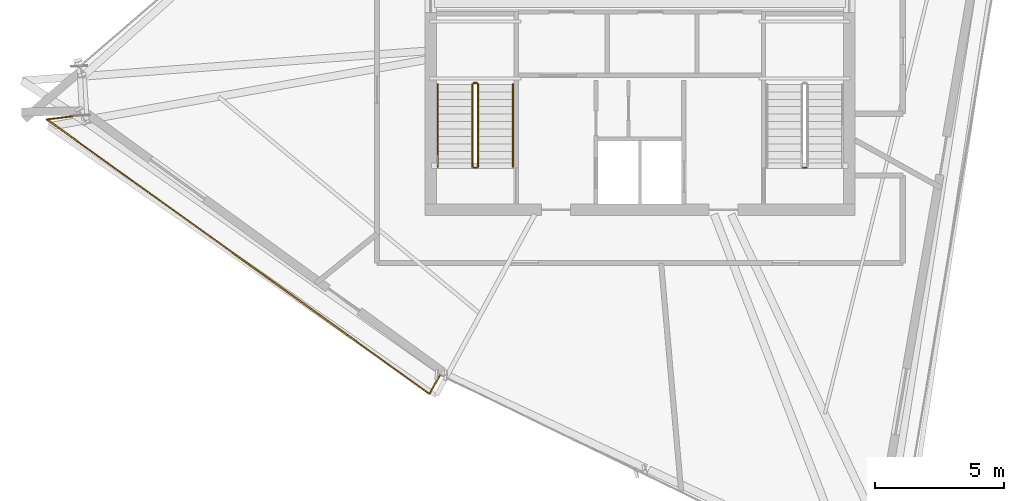
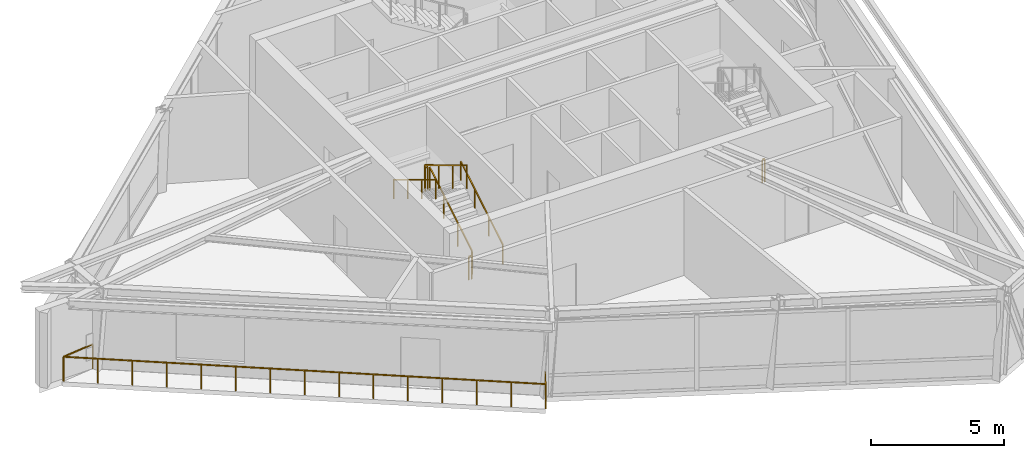
# One storey, part 20 of 22: 8 railings.
"""IFC4 building model written with IfcOpenShell, lengths in metres."""

from ifc_helpers import new_model, si_unit, direction, frame, origin, origin_2d, place, context, subcontext, project, spatial, rectangle, extrude, material, type_object, element, save


model = new_model("IFC4")

# Units and contexts
model_context = context("Model", 3, precision=1e-05, world=origin(), true_north=direction((0.0, 1.0)))
body_context = subcontext(model_context, "Body", "Model", "MODEL_VIEW")
ifc_project = project(units=[si_unit("LENGTHUNIT", "METRE"), si_unit("AREAUNIT", "SQUARE_METRE"), si_unit("VOLUMEUNIT", "CUBIC_METRE"), si_unit("PLANEANGLEUNIT", "RADIAN"), si_unit("MASSUNIT", "GRAM", prefix="KILO")], contexts=[model_context])

# Site, building, storey
site_placement = place(None, origin())
site = spatial("IfcSite", under=ifc_project, at=site_placement, CompositionType="ELEMENT")
building_placement = place(site_placement, origin())
building = spatial("IfcBuilding", under=site, at=building_placement, Name="Olszyna Solenne Hotel", CompositionType="ELEMENT")
storey_placement = place(building_placement, frame((0.0, 0.0, 281.89990234375)))
storey = spatial("IfcBuildingStorey", under=building, at=storey_placement, Name="L75", CompositionType="ELEMENT", Elevation=281.89990234375)

# Railings
ifc_material_1 = material(Name="Anodised bronze aluminium", Category="aluminium")
railing_type_1 = type_object("IfcRailingType", Name="GR-110", PredefinedType="BALUSTRADE", material=ifc_material_1)
railing_1_placement = place(storey_placement, frame((16.348876953125, 22.947021484375, 0.0)))
element("IfcRailing", 1, at=railing_1_placement, inside=storey, type_object=railing_type_1, Name="Loggia balcony balustrade guard GR-L75-LG2", PredefinedType="BALUSTRADE", context=body_context, shape_type="SweptSolid", body=[
    extrude(rectangle(XDim=0.048095703125, YDim=0.048095703125, at=origin_2d()), frame((0.0, 0.0, 1.1259765625), z_axis=(-0.992815565985, -0.119654719666, 0.0), x_axis=(0.119654719666, -0.992815565985, 0.0)), (0.0, 0.0, 1.0), 1.37939453125),
    extrude(rectangle(XDim=0.048095703125, YDim=0.048095703125, at=origin_2d()), frame((-1.369384765625, -0.1650390625, 1.1259765625), z_axis=(0.812542513151, -0.582901933709, 0.0), x_axis=(0.582901933709, 0.812542513151, 0.0)), (0.0, 0.0, 1.0), 18.28173828125),
    extrude(rectangle(XDim=0.048095703125, YDim=0.048095703125, at=origin_2d()), frame((13.4853515625, -10.821533203125, 1.1259765625), z_axis=(0.489068963834, 0.87224511957, 0.0), x_axis=(-0.87224511957, 0.489068963834, 0.0)), (0.0, 0.0, 1.0), 0.84619140625),
    extrude(rectangle(XDim=0.0419921875, YDim=0.0419921875, at=origin_2d()), origin(), (0.0, 0.0, 1.0), 1.101806640625),
    extrude(rectangle(XDim=0.0419921875, YDim=0.0419921875, at=origin_2d()), frame((-1.369384765625, -0.1650390625, 0.0)), (0.0, 0.0, 1.0), 1.101806640625),
    extrude(rectangle(XDim=0.0419921875, YDim=0.0419921875, at=origin_2d()), frame((-0.308349609375, -0.92626953125, 0.0)), (0.0, 0.0, 1.0), 1.101806640625),
    extrude(rectangle(XDim=0.0419921875, YDim=0.0419921875, at=origin_2d()), frame((0.752685546875, -1.6875, 0.0)), (0.0, 0.0, 1.0), 1.101806640625),
    extrude(rectangle(XDim=0.0419921875, YDim=0.0419921875, at=origin_2d()), frame((1.813720703125, -2.448486328125, 0.0)), (0.0, 0.0, 1.0), 1.101806640625),
    extrude(rectangle(XDim=0.0419921875, YDim=0.0419921875, at=origin_2d()), frame((2.874755859375, -3.209716796875, 0.0)), (0.0, 0.0, 1.0), 1.101806640625),
    extrude(rectangle(XDim=0.0419921875, YDim=0.0419921875, at=origin_2d()), frame((3.935791015625, -3.970947265625, 0.0)), (0.0, 0.0, 1.0), 1.101806640625),
    extrude(rectangle(XDim=0.0419921875, YDim=0.0419921875, at=origin_2d()), frame((4.996826171875, -4.732177734375, 0.0)), (0.0, 0.0, 1.0), 1.101806640625),
    extrude(rectangle(XDim=0.0419921875, YDim=0.0419921875, at=origin_2d()), frame((6.05810546875, -5.4931640625, 0.0)), (0.0, 0.0, 1.0), 1.101806640625),
    extrude(rectangle(XDim=0.0419921875, YDim=0.0419921875, at=origin_2d()), frame((7.119140625, -6.25439453125, 0.0)), (0.0, 0.0, 1.0), 1.101806640625),
    extrude(rectangle(XDim=0.0419921875, YDim=0.0419921875, at=origin_2d()), frame((8.18017578125, -7.015625, 0.0)), (0.0, 0.0, 1.0), 1.101806640625),
    extrude(rectangle(XDim=0.0419921875, YDim=0.0419921875, at=origin_2d()), frame((9.2412109375, -7.77685546875, 0.0)), (0.0, 0.0, 1.0), 1.101806640625),
    extrude(rectangle(XDim=0.0419921875, YDim=0.0419921875, at=origin_2d()), frame((10.30224609375, -8.5380859375, 0.0)), (0.0, 0.0, 1.0), 1.101806640625),
    extrude(rectangle(XDim=0.0419921875, YDim=0.0419921875, at=origin_2d()), frame((11.36328125, -9.299072265625, 0.0)), (0.0, 0.0, 1.0), 1.101806640625),
    extrude(rectangle(XDim=0.0419921875, YDim=0.0419921875, at=origin_2d()), frame((12.42431640625, -10.060302734375, 0.0)), (0.0, 0.0, 1.0), 1.101806640625),
    extrude(rectangle(XDim=0.0419921875, YDim=0.0419921875, at=origin_2d()), frame((13.4853515625, -10.821533203125, 0.0)), (0.0, 0.0, 1.0), 1.101806640625),
    extrude(rectangle(XDim=0.0419921875, YDim=0.0419921875, at=origin_2d()), frame((13.899169921875, -10.08349609375, 0.0)), (0.0, 0.0, 1.0), 1.101806640625),
])
railing_2_placement = place(storey_placement, frame((31.719970703125, 20.949951171875, 0.175048828125)))
element("IfcRailing", 2, at=railing_2_placement, inside=storey, type_object=railing_type_1, Name="L75 ST1 stair guard 1", PredefinedType="BALUSTRADE", context=body_context, shape_type="SweptSolid", body=[
    extrude(rectangle(XDim=0.048095703125, YDim=0.048095703125, at=origin_2d()), frame((0.0, 0.0, 1.076171875), z_axis=(0.0, 0.856177665481, 0.516681531633), x_axis=(-1.0, 0.0, 0.0)), (0.0, 0.0, 1.0), 3.725830078125),
    extrude(rectangle(XDim=0.0419921875, YDim=0.0419921875, at=origin_2d()), origin(), (0.0, 0.0, 1.0), 1.052001953125),
    extrude(rectangle(XDim=0.0419921875, YDim=0.0419921875, at=origin_2d()), frame((0.0, 1.063232421875, 0.6416015625)), (0.0, 0.0, 1.0), 1.052001953125),
    extrude(rectangle(XDim=0.0419921875, YDim=0.0419921875, at=origin_2d()), frame((0.0, 2.126708984375, 1.283447265625)), (0.0, 0.0, 1.0), 1.052001953125),
    extrude(rectangle(XDim=0.0419921875, YDim=0.0419921875, at=origin_2d()), frame((0.0, 3.18994140625, 1.925048828125)), (0.0, 0.0, 1.0), 1.052001953125),
])
railing_3_placement = place(storey_placement, frame((31.669921875, 24.18994140625, 2.10009765625)))
element("IfcRailing", 3, at=railing_3_placement, inside=storey, type_object=railing_type_1, Name="L75 ST1 stair guard 2", PredefinedType="BALUSTRADE", context=body_context, shape_type="SweptSolid", body=[
    extrude(rectangle(XDim=0.048095703125, YDim=0.048095703125, at=origin_2d()), frame((0.0, 0.0, 1.076171875), z_axis=(-1.0, 0.0, 0.0), x_axis=(0.0, -1.0, 0.0)), (0.0, 0.0, 1.0), 0.119873046875),
    extrude(rectangle(XDim=0.0419921875, YDim=0.0419921875, at=origin_2d()), origin(), (0.0, 0.0, 1.0), 1.052001953125),
    extrude(rectangle(XDim=0.0419921875, YDim=0.0419921875, at=origin_2d()), frame((-0.119873046875, 0.0, 0.0)), (0.0, 0.0, 1.0), 1.052001953125),
])
railing_4_placement = place(storey_placement, frame((31.5, 24.139892578125, 2.275146484375)))
element("IfcRailing", 4, at=railing_4_placement, inside=storey, type_object=railing_type_1, Name="L75 ST1 stair guard 3", PredefinedType="BALUSTRADE", context=body_context, shape_type="SweptSolid", body=[
    extrude(rectangle(XDim=0.048095703125, YDim=0.048095703125, at=origin_2d()), frame((0.0, 0.0, 1.076171875), z_axis=(0.0, -0.856177665481, 0.516681531633), x_axis=(1.0, 0.0, 0.0)), (0.0, 0.0, 1.0), 3.725830078125),
    extrude(rectangle(XDim=0.0419921875, YDim=0.0419921875, at=origin_2d()), origin(), (0.0, 0.0, 1.0), 1.052001953125),
    extrude(rectangle(XDim=0.0419921875, YDim=0.0419921875, at=origin_2d()), frame((0.0, -1.063232421875, 0.6416015625)), (0.0, 0.0, 1.0), 1.052001953125),
    extrude(rectangle(XDim=0.0419921875, YDim=0.0419921875, at=origin_2d()), frame((0.0, -2.126708984375, 1.283447265625)), (0.0, 0.0, 1.0), 1.052001953125),
    extrude(rectangle(XDim=0.0419921875, YDim=0.0419921875, at=origin_2d()), frame((0.0, -3.18994140625, 1.925048828125)), (0.0, 0.0, 1.0), 1.052001953125),
])
for number, where, name in (
    (5, (31.669921875, 20.89990234375, 0.0), "L75 ST1 stair guard 4"),
    (6, (44.449951171875, 20.89990234375, 0.0), "L75 ST2 stair guard 4"),
):
    element("IfcRailing", number, at=place(storey_placement, frame(where)), inside=storey, type_object=railing_type_1, Name=name, PredefinedType="BALUSTRADE", context=body_context, shape_type="SweptSolid", body=[
        extrude(rectangle(XDim=0.048095703125, YDim=0.048095703125, at=origin_2d()), frame((0.0, 0.0, 1.076171875), z_axis=(-1.0, 0.0, 0.0), x_axis=(0.0, -1.0, 0.0)), (0.0, 0.0, 1.0), 0.119873046875),
        extrude(rectangle(XDim=0.0419921875, YDim=0.0419921875, at=origin_2d()), origin(), (0.0, 0.0, 1.0), 1.052001953125),
        extrude(rectangle(XDim=0.0419921875, YDim=0.0419921875, at=origin_2d()), frame((-0.119873046875, 0.0, 0.0)), (0.0, 0.0, 1.0), 1.052001953125),
    ])
ifc_material_2 = material(Name="Steel S355J2", Category="steel")
railing_type_2 = type_object("IfcRailingType", Name="HR-090", PredefinedType="HANDRAIL", material=ifc_material_2)
railing_5_placement = place(storey_placement, frame((33.070068359375, 20.949951171875, 0.175048828125)))
element("IfcRailing", 7, at=railing_5_placement, inside=storey, type_object=railing_type_2, Name="L75 ST1 stair handrail 1", PredefinedType="HANDRAIL", context=body_context, shape_type="SweptSolid", body=[
    extrude(rectangle(XDim=0.048095703125, YDim=0.048095703125, at=origin_2d()), frame((0.0, 0.0, 0.8759765625), z_axis=(0.0, 0.856177665481, 0.516681531633), x_axis=(-1.0, 0.0, 0.0)), (0.0, 0.0, 1.0), 3.725830078125),
    extrude(rectangle(XDim=0.0419921875, YDim=0.0419921875, at=origin_2d()), origin(), (0.0, 0.0, 1.0), 0.851806640625),
    extrude(rectangle(XDim=0.0419921875, YDim=0.0419921875, at=origin_2d()), frame((0.0, 1.063232421875, 0.6416015625)), (0.0, 0.0, 1.0), 0.851806640625),
    extrude(rectangle(XDim=0.0419921875, YDim=0.0419921875, at=origin_2d()), frame((0.0, 2.126708984375, 1.283447265625)), (0.0, 0.0, 1.0), 0.851806640625),
    extrude(rectangle(XDim=0.0419921875, YDim=0.0419921875, at=origin_2d()), frame((0.0, 3.18994140625, 1.925048828125)), (0.0, 0.0, 1.0), 0.851806640625),
])
railing_6_placement = place(storey_placement, frame((30.14990234375, 24.139892578125, 2.275146484375)))
element("IfcRailing", 8, at=railing_6_placement, inside=storey, type_object=railing_type_2, Name="L75 ST1 stair handrail 2", PredefinedType="HANDRAIL", context=body_context, shape_type="SweptSolid", body=[
    extrude(rectangle(XDim=0.048095703125, YDim=0.048095703125, at=origin_2d()), frame((0.0, 0.0, 0.8759765625), z_axis=(0.0, -0.856177665481, 0.516681531633), x_axis=(1.0, 0.0, 0.0)), (0.0, 0.0, 1.0), 3.725830078125),
    extrude(rectangle(XDim=0.0419921875, YDim=0.0419921875, at=origin_2d()), origin(), (0.0, 0.0, 1.0), 0.851806640625),
    extrude(rectangle(XDim=0.0419921875, YDim=0.0419921875, at=origin_2d()), frame((0.0, -1.063232421875, 0.6416015625)), (0.0, 0.0, 1.0), 0.851806640625),
    extrude(rectangle(XDim=0.0419921875, YDim=0.0419921875, at=origin_2d()), frame((0.0, -2.126708984375, 1.283447265625)), (0.0, 0.0, 1.0), 0.851806640625),
    extrude(rectangle(XDim=0.0419921875, YDim=0.0419921875, at=origin_2d()), frame((0.0, -3.18994140625, 1.925048828125)), (0.0, 0.0, 1.0), 0.851806640625),
])

save(model, "model.ifc")
